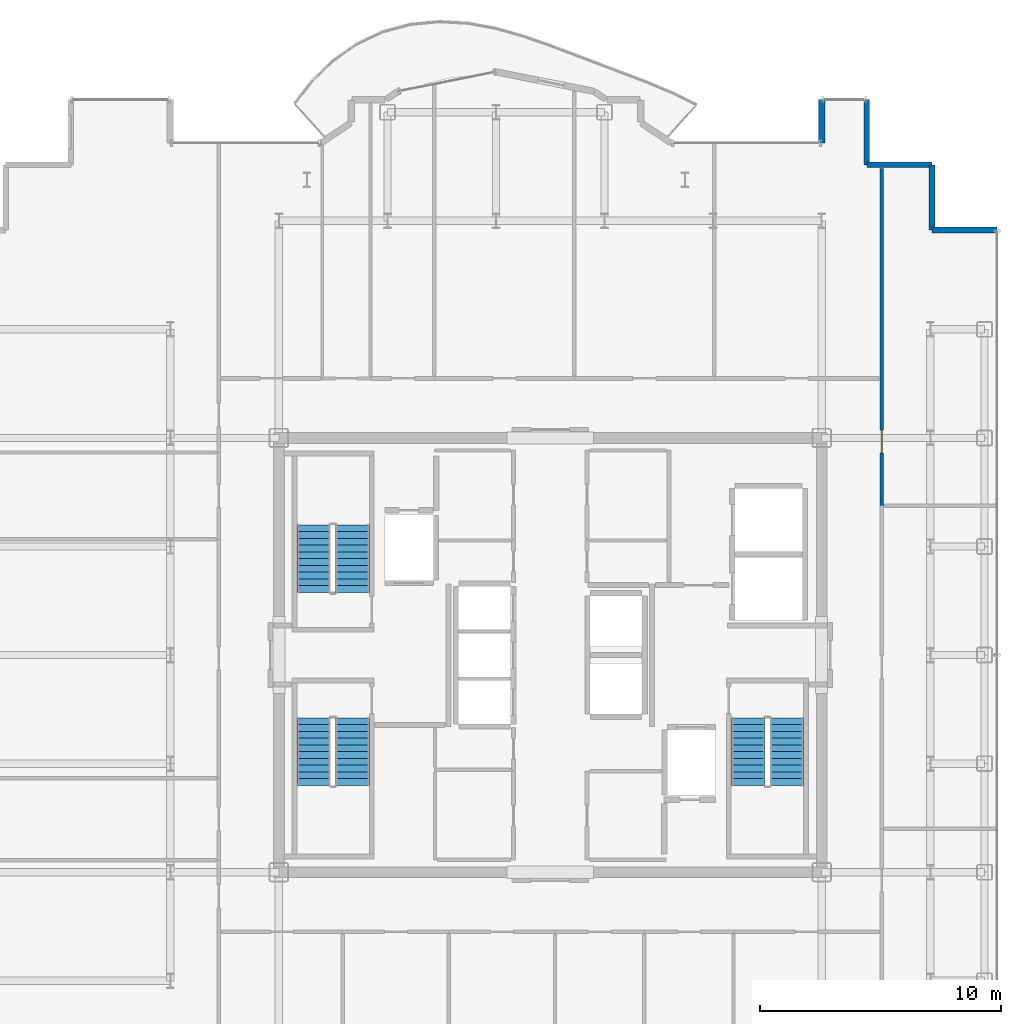
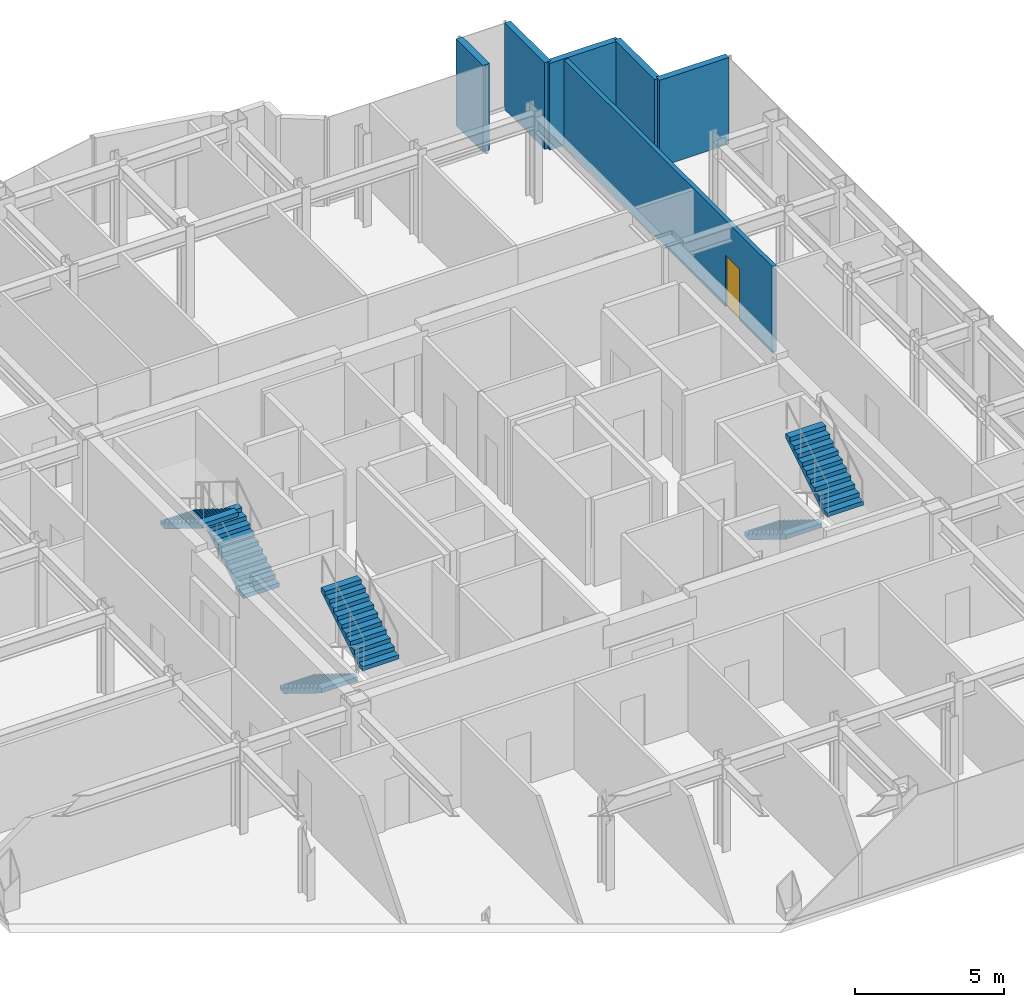
# One storey, part 17 of 18: 6 stair flights, 6 walls, 1 door, 1 opening, 3 elements without a shape of their own.
"""IFC4 building model written with IfcOpenShell, lengths in metres."""

from ifc_helpers import new_model, si_unit, direction, frame, frame_2d, origin, place, context, subcontext, project, spatial, polyline, rectangle, outline, extrude, source, transform, mapped, material, layer, layer_set, type_object, element, fill, aggregate, save


model = new_model("IFC4")

# Units and contexts
model_context = context("Model", 3, precision=1e-05, world=origin(), true_north=direction((0.0, 1.0)))
body_context = subcontext(model_context, "Body", "Model", "MODEL_VIEW")
ifc_project = project(units=[si_unit("LENGTHUNIT", "METRE"), si_unit("AREAUNIT", "SQUARE_METRE"), si_unit("VOLUMEUNIT", "CUBIC_METRE"), si_unit("PLANEANGLEUNIT", "RADIAN"), si_unit("MASSUNIT", "GRAM", prefix="KILO")], contexts=[model_context])

# Site, building, storey
site_placement = place(None, origin())
site = spatial("IfcSite", under=ifc_project, at=site_placement, CompositionType="ELEMENT")
building_placement = place(site_placement, origin())
building = spatial("IfcBuilding", under=site, at=building_placement, Name="Nefas-Gora Pilgrimage Tower", CompositionType="ELEMENT")
storey_placement = place(building_placement, frame((0.0, 0.0, 283.60009765625)))
storey = spatial("IfcBuildingStorey", under=building, at=storey_placement, Name="L71", CompositionType="ELEMENT", Elevation=283.60009765625)

# Walls
ifc_material_1 = material(Name="Precast concrete C40/50", Category="concrete")
ifc_layer_1 = layer(ifc_material_1, 0.260009765625)
ifc_layer_set_1 = layer_set([ifc_layer_1], Name="Precast concrete C40/50")
wall_type_1 = type_object("IfcWallType", Name="EW-PORTAL-260", PredefinedType="SOLIDWALL", material=ifc_layer_set_1)
shared_shape_1 = source(origin(), body_context, "Body", "SweptSolid", [
    extrude(rectangle(XDim=1.800048828125, YDim=0.260009765625, at=frame_2d((0.89990234375, 0.0))), origin(), (0.0, 0.0, 1.0), 3.5498046875),
])
wall_1_placement = place(storey_placement, frame((11.25, 23.02001953125, 0.0), z_axis=(0.0, 0.0, 1.0), x_axis=(0.0, -1.0, 0.0)))
element("IfcWall", 1, at=wall_1_placement, inside=storey, type_object=wall_type_1, Name="L71 Lobe Shoulder Precast Spandrel Pier 6", PredefinedType="SOLIDWALL", context=body_context, shape_type="MappedRepresentation", body=[
    mapped(shared_shape_1, transform((0.0, 0.0, 0.0), x_axis=(1.0, 0.0, 0.0), y_axis=(0.0, 1.0, 0.0), z_axis=(0.0, 0.0, 1.0), scale=1.0)),
])
ifc_material_2 = material(Name="Precast concrete C45/55", Category="concrete")
ifc_layer_2 = layer(ifc_material_2, 0.239990234375)
ifc_layer_set_2 = layer_set([ifc_layer_2], Name="Precast concrete C45/55")
wall_type_2 = type_object("IfcWallType", Name="EW-SERR-240", PredefinedType="SHEAR", material=ifc_layer_set_2)
shared_shape_2 = source(origin(), body_context, "Body", "SweptSolid", [
    extrude(rectangle(XDim=2.699951171875, YDim=0.239990234375, at=frame_2d((1.35009765625, 0.0))), origin(), (0.0, 0.0, 1.0), 3.5498046875),
])
for number, where, z_axis, x_axis, name in (
    (2, (18.52001953125, 17.6201171875, 0.0), (0.0, 0.0, 1.0), (-1.0, 0.0, 0.0), "L71 Serrated Corner Shear Pier Wall 2"),
    (3, (15.820068359375, 17.6201171875, 0.0), (0.0, 0.0, 1.0), (0.0, 1.0, 0.0), "L71 Serrated Corner Shear Pier Wall 3"),
    (4, (15.820068359375, 20.320068359375, 0.0), (0.0, 0.0, 1.0), (-1.0, 0.0, 0.0), "L71 Serrated Corner Shear Pier Wall 4"),
    (5, (13.1201171875, 20.320068359375, 0.0), (0.0, 0.0, 1.0), (0.0, 1.0, 0.0), "L71 Serrated Corner Shear Pier Wall 5"),
):
    element("IfcWall", number, at=place(storey_placement, frame(where, z_axis=z_axis, x_axis=x_axis)), inside=storey, type_object=wall_type_2, Name=name, PredefinedType="SHEAR", context=body_context, shape_type="MappedRepresentation", body=[
        mapped(shared_shape_2, transform((0.0, 0.0, 0.0), x_axis=(1.0, 0.0, 0.0), y_axis=(0.0, 1.0, 0.0), z_axis=(0.0, 0.0, 1.0), scale=1.0)),
    ])

# Wall, opening, door
ifc_material_3 = material(Name="Gypsum acoustic stud partition")
ifc_layer_3 = layer(ifc_material_3, 0.159912109375)
ifc_layer_set_3 = layer_set([ifc_layer_3], Name="Gypsum acoustic stud partition")
wall_type_3 = type_object("IfcWallType", Name="IW-CORR-160", PredefinedType="PARTITIONING", material=ifc_layer_set_3)
shared_shape_3 = source(origin(), body_context, "Body", "SweptSolid", [
    extrude(rectangle(XDim=13.96484375, YDim=0.159912109375, at=frame_2d((6.982421875, 0.0))), origin(), (0.0, 0.0, 1.0), 3.534912109375),
])
wall_2_placement = place(storey_placement, frame((13.739990234375, 6.195068359375, 0.0), z_axis=(0.0, 0.0, 1.0), x_axis=(0.0, 1.0, 0.0)))
wall_2 = element("IfcWall", 6, at=wall_2_placement, inside=storey, type_object=wall_type_3, Name="L71 Pilgrim Contemplative Lounge Partition Wall 52", PredefinedType="PARTITIONING", context=body_context, shape_type="MappedRepresentation", body=[
    mapped(shared_shape_3, transform((0.0, 0.0, 0.0), x_axis=(1.0, 0.0, 0.0), y_axis=(0.0, 1.0, 0.0), z_axis=(0.0, 0.0, 1.0), scale=1.0)),
])
opening_placement = place(wall_2_placement, frame((2.1826171875, 0.0, 0.0)))
opening = element("IfcOpeningElement", 7, at=opening_placement, cuts=wall_2, Name="Opening ID-GR1", PredefinedType="OPENING", context=body_context, shape_type="SweptSolid", body=[
    extrude(rectangle(XDim=0.949951171875, YDim=2.10009765625, at=frame_2d((0.47509765625, 1.050048828125))), frame((0.0, 0.08984375, 0.0), z_axis=(0.0, -1.0, 0.0), x_axis=(1.0, 0.0, 0.0)), (0.0, 0.0, 1.0), 0.179931640625),
])
ifc_material_4 = material(Name="Solid core oak fire-rated guest entrance door")
door_type = type_object("IfcDoorType", Name="DR-INT-GUEST-950", OperationType="NOTDEFINED", PredefinedType="DOOR", material=ifc_material_4)
shared_shape_4 = source(origin(), body_context, "Body", "SweptSolid", [
    extrude(rectangle(XDim=0.949951171875, YDim=2.10009765625, at=frame_2d((0.47509765625, 1.050048828125))), frame((0.0, 0.02490234375, 0.0), z_axis=(0.0, -1.0, 0.0), x_axis=(1.0, 0.0, 0.0)), (0.0, 0.0, 1.0), 0.050048828125),
])
door_placement = place(opening_placement, origin())
door = element("IfcDoor", 8, at=door_placement, inside=storey, type_object=door_type, Name="L71 Pilgrim Contemplative Lounge Door 23", OperationType="SINGLE_SWING_LEFT", OverallHeight=2.10009765625, OverallWidth=0.949951171875, PredefinedType="DOOR", context=body_context, shape_type="MappedRepresentation", body=[
    mapped(shared_shape_4, transform((0.0, 0.0, 0.0), x_axis=(1.0, 0.0, 0.0), y_axis=(0.0, 1.0, 0.0), z_axis=(0.0, 0.0, 1.0), scale=1.0)),
])
fill(opening, door)

# Stair, stair flights
ifc_material_5 = material(Name="Concrete C45/55", Category="concrete")
stair_type = type_object("IfcStairType", Name="STR-1400-R1727", PredefinedType="HALF_TURN_STAIR", material=ifc_material_5)
stair_1_placement = place(storey_placement, origin())
stair_1 = element("IfcStair", 9, at=stair_1_placement, inside=storey, type_object=stair_type, Name="L71 Pressurised Tower Exit Stair ST-01", PredefinedType="HALF_TURN_STAIR")
stair_flight_type = type_object("IfcStairFlightType", Name="STF-1400-R1727", PredefinedType="STRAIGHT", material=ifc_material_5)
shared_shape_5 = source(origin(), body_context, "Body", "SweptSolid", [
    extrude(outline(polyline([(0.0, 0.0), (0.0, 0.172607421875), (0.280029296875, 0.172607421875), (0.280029296875, 0.345458984375), (0.56005859375, 0.345458984375), (0.56005859375, 0.51806640625), (0.840087890625, 0.51806640625), (0.840087890625, 0.69091796875), (1.1201171875, 0.69091796875), (1.1201171875, 0.863525390625), (1.39990234375, 0.863525390625), (1.39990234375, 1.036376953125), (1.679931640625, 1.036376953125), (1.679931640625, 1.208984375), (1.9599609375, 1.208984375), (1.9599609375, 1.3818359375), (2.239990234375, 1.3818359375), (2.239990234375, 1.554443359375), (2.52001953125, 1.554443359375), (2.52001953125, 1.727294921875), (2.800048828125, 1.727294921875), (2.800048828125, 1.89990234375), (2.800048828125, 1.551025390625), (0.285400390625, 0.0), (0.0, 0.0)])), frame((0.0, 0.699951171875, 0.0), z_axis=(0.0, -1.0, 0.0), x_axis=(1.0, 0.0, 0.0)), (0.0, 0.0, 1.0), 1.39990234375),
])
stair_flight_1_placement = place(storey_placement, frame((-8.199951171875, 2.60009765625, 0.0), z_axis=(0.0, 0.0, 1.0), x_axis=(0.0, 1.0, 0.0)))
stair_flight_1 = element("IfcStairFlight", 10, at=stair_flight_1_placement, type_object=stair_flight_type, Name="ST-01 flight 1", NumberOfRisers=11, NumberOfTreads=10, PredefinedType="STRAIGHT", RiserHeight=0.172727273, TreadLength=0.28, context=body_context, shape_type="MappedRepresentation", body=[
    mapped(shared_shape_5, transform((0.0, 0.0, 0.0), x_axis=(1.0, 0.0, 0.0), y_axis=(0.0, 1.0, 0.0), z_axis=(0.0, 0.0, 1.0), scale=1.0)),
])
stair_flight_2_placement = place(storey_placement, frame((-9.800048828125, 5.39990234375, 1.89990234375), z_axis=(0.0, 0.0, 1.0), x_axis=(0.0, -1.0, 0.0)))
stair_flight_2 = element("IfcStairFlight", 11, at=stair_flight_2_placement, type_object=stair_flight_type, Name="ST-01 flight 2", NumberOfRisers=11, NumberOfTreads=10, PredefinedType="STRAIGHT", RiserHeight=0.172727273, TreadLength=0.28, context=body_context, shape_type="MappedRepresentation", body=[
    mapped(shared_shape_5, transform((0.0, 0.0, 0.0), x_axis=(1.0, 0.0, 0.0), y_axis=(0.0, 1.0, 0.0), z_axis=(0.0, 0.0, 1.0), scale=1.0)),
])
aggregate(stair_1, [stair_flight_1, stair_flight_2])

stair_2_placement = place(storey_placement, origin())
stair_2 = element("IfcStair", 12, at=stair_2_placement, inside=storey, type_object=stair_type, Name="L71 Pressurised Tower Exit Stair ST-02", PredefinedType="HALF_TURN_STAIR")
stair_flight_3_placement = place(storey_placement, frame((8.199951171875, -2.60009765625, 0.0), z_axis=(0.0, 0.0, 1.0), x_axis=(0.0, -1.0, 0.0)))
stair_flight_3 = element("IfcStairFlight", 13, at=stair_flight_3_placement, type_object=stair_flight_type, Name="ST-02 flight 1", NumberOfRisers=11, NumberOfTreads=10, PredefinedType="STRAIGHT", RiserHeight=0.172727273, TreadLength=0.28, context=body_context, shape_type="MappedRepresentation", body=[
    mapped(shared_shape_5, transform((0.0, 0.0, 0.0), x_axis=(1.0, 0.0, 0.0), y_axis=(0.0, 1.0, 0.0), z_axis=(0.0, 0.0, 1.0), scale=1.0)),
])
stair_flight_4_placement = place(storey_placement, frame((9.800048828125, -5.39990234375, 1.89990234375), z_axis=(0.0, 0.0, 1.0), x_axis=(0.0, 1.0, 0.0)))
stair_flight_4 = element("IfcStairFlight", 14, at=stair_flight_4_placement, type_object=stair_flight_type, Name="ST-02 flight 2", NumberOfRisers=11, NumberOfTreads=10, PredefinedType="STRAIGHT", RiserHeight=0.172727273, TreadLength=0.28, context=body_context, shape_type="MappedRepresentation", body=[
    mapped(shared_shape_5, transform((0.0, 0.0, 0.0), x_axis=(1.0, 0.0, 0.0), y_axis=(0.0, 1.0, 0.0), z_axis=(0.0, 0.0, 1.0), scale=1.0)),
])
aggregate(stair_2, [stair_flight_3, stair_flight_4])

stair_3_placement = place(storey_placement, origin())
stair_3 = element("IfcStair", 15, at=stair_3_placement, inside=storey, type_object=stair_type, Name="L71 Pressurised Tower Exit Stair ST-03", PredefinedType="HALF_TURN_STAIR")
stair_flight_5_placement = place(storey_placement, frame((-9.800048828125, -2.60009765625, 0.0), z_axis=(0.0, 0.0, 1.0), x_axis=(0.0, -1.0, 0.0)))
stair_flight_5 = element("IfcStairFlight", 16, at=stair_flight_5_placement, type_object=stair_flight_type, Name="ST-03 flight 1", NumberOfRisers=11, NumberOfTreads=10, PredefinedType="STRAIGHT", RiserHeight=0.172727273, TreadLength=0.28, context=body_context, shape_type="MappedRepresentation", body=[
    mapped(shared_shape_5, transform((0.0, 0.0, 0.0), x_axis=(1.0, 0.0, 0.0), y_axis=(0.0, 1.0, 0.0), z_axis=(0.0, 0.0, 1.0), scale=1.0)),
])
stair_flight_6_placement = place(storey_placement, frame((-8.199951171875, -5.39990234375, 1.89990234375), z_axis=(0.0, 0.0, 1.0), x_axis=(0.0, 1.0, 0.0)))
stair_flight_6 = element("IfcStairFlight", 17, at=stair_flight_6_placement, type_object=stair_flight_type, Name="ST-03 flight 2", NumberOfRisers=11, NumberOfTreads=10, PredefinedType="STRAIGHT", RiserHeight=0.172727273, TreadLength=0.28, context=body_context, shape_type="MappedRepresentation", body=[
    mapped(shared_shape_5, transform((0.0, 0.0, 0.0), x_axis=(1.0, 0.0, 0.0), y_axis=(0.0, 1.0, 0.0), z_axis=(0.0, 0.0, 1.0), scale=1.0)),
])
aggregate(stair_3, [stair_flight_5, stair_flight_6])

save(model, "model.ifc")
